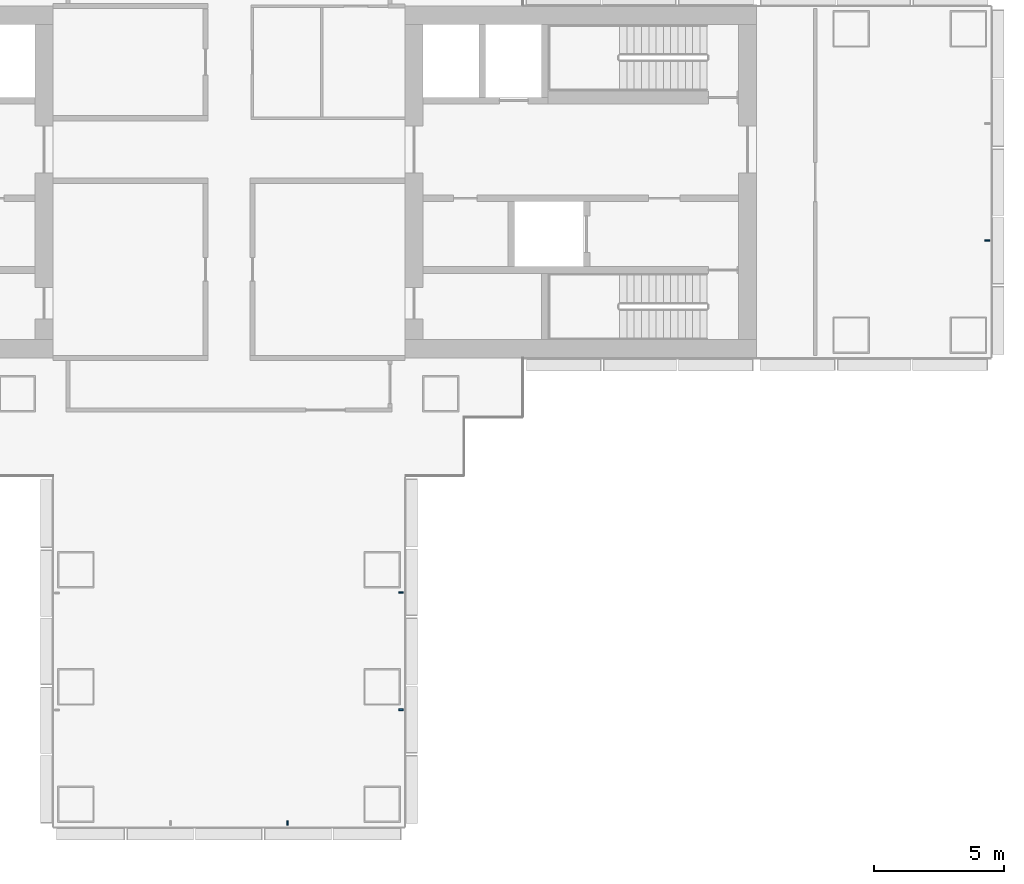
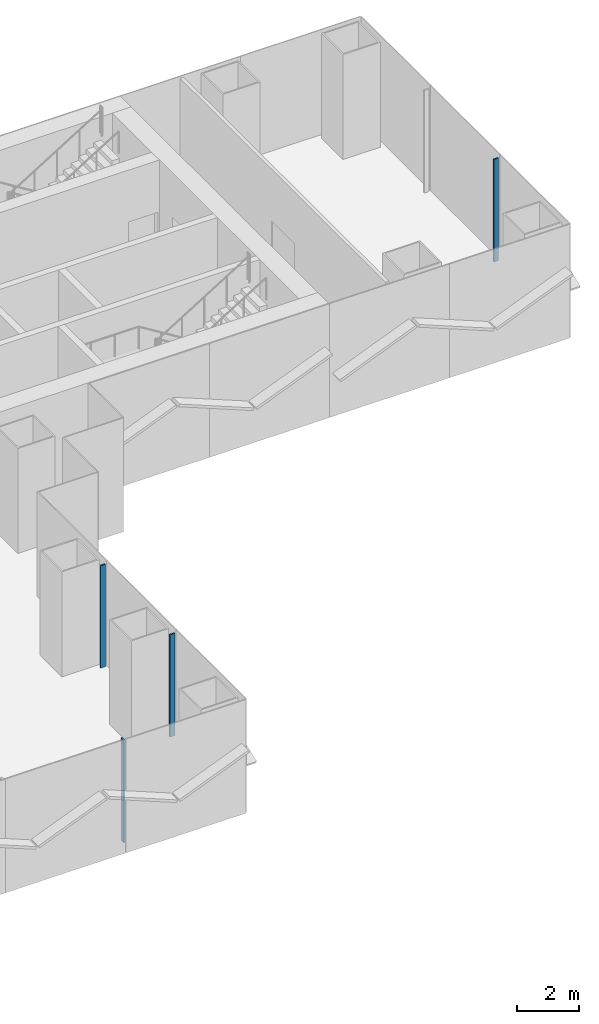
# One storey, part 8 of 22: 4 members, 3 elements without a shape of their own.
"""IFC4 building model written with IfcOpenShell, lengths in metres."""

from ifc_helpers import new_model, si_unit, direction, frame, origin, origin_2d, place, context, subcontext, project, spatial, rectangle, extrude, material, layer, layer_set, material_profile, profile_set, type_object, element, aggregate, save


model = new_model("IFC4")

# Units and contexts
model_context = context("Model", 3, precision=1e-05, world=origin(), true_north=direction((0.0, 1.0)))
body_context = subcontext(model_context, "Body", "Model", "MODEL_VIEW")
ifc_project = project(units=[si_unit("LENGTHUNIT", "METRE"), si_unit("AREAUNIT", "SQUARE_METRE"), si_unit("VOLUMEUNIT", "CUBIC_METRE"), si_unit("PLANEANGLEUNIT", "RADIAN"), si_unit("MASSUNIT", "GRAM", prefix="KILO")], contexts=[model_context])

# Site, building, storey
site_placement = place(None, origin())
site = spatial("IfcSite", under=ifc_project, at=site_placement, CompositionType="ELEMENT")
building_placement = place(site_placement, origin())
building = spatial("IfcBuilding", under=site, at=building_placement, Name="Shamsa Quay Exchange Towers", CompositionType="ELEMENT")
storey_placement = place(building_placement, frame((0.0, 0.0, 37.5)))
storey = spatial("IfcBuildingStorey", under=building, at=storey_placement, Name="L07", CompositionType="ELEMENT", Elevation=37.5)

# Curtain wall, member
ifc_material = material(Name="Aluminium EN AW-6063 T6, black anodised", Category="aluminium")
ifc_layer = layer(ifc_material, 0.280029296875)
ifc_layer_set = layer_set([ifc_layer], Name="CW-1 UNITISED VISION GLASS")
curtain_wall_type = type_object("IfcCurtainWallType", Name="CW-1 UNITISED VISION GLASS", PredefinedType="NOTDEFINED", material=ifc_layer_set)
curtain_wall_1_placement = place(storey_placement, origin())
curtain_wall_1 = element("IfcCurtainWall", 1, at=curtain_wall_1_placement, inside=storey, type_object=curtain_wall_type, Name="CW1 T2-END-V- L07", PredefinedType="NOTDEFINED")
ifc_material_profile = material_profile(ifc_material, rectangle(XDim=0.179931640625, YDim=0.06005859375, at=origin_2d()), Name="MU60x180")
ifc_profile_set = profile_set([ifc_material_profile], Name="Aluminium EN AW-6063 T6, black anodised")
member_type = type_object("IfcMemberType", Name="CW1 MULLION 60x180", PredefinedType="MULLION", material=ifc_profile_set)
member_1_placement = place(storey_placement, frame((62.85009765625, -2.25, 0.0), z_axis=(0.0, 0.0, 1.0), x_axis=(-1.0, 0.0, 0.0)))
member_1 = element("IfcMember", 2, at=member_1_placement, type_object=member_type, Name="CW1 mullion", PredefinedType="MULLION", context=body_context, shape_type="SweptSolid", body=[
    extrude(rectangle(XDim=0.179931640625, YDim=0.06005859375, at=origin_2d()), origin(), (0.0, 0.0, 1.0), 4.050048828125),
])
aggregate(curtain_wall_1, [member_1])

curtain_wall_2_placement = place(storey_placement, origin())
curtain_wall_2 = element("IfcCurtainWall", 3, at=curtain_wall_2_placement, inside=storey, type_object=curtain_wall_type, Name="CW1 T2-END-U- L07", PredefinedType="NOTDEFINED")
member_2_placement = place(storey_placement, frame((36.0, -24.60009765625, 0.0), z_axis=(0.0, 0.0, 1.0), x_axis=(0.0, 1.0, 0.0)))
member_2 = element("IfcMember", 4, at=member_2_placement, type_object=member_type, Name="CW1 mullion", PredefinedType="MULLION", context=body_context, shape_type="SweptSolid", body=[
    extrude(rectangle(XDim=0.179931640625, YDim=0.06005859375, at=origin_2d()), origin(), (0.0, 0.0, 1.0), 4.050048828125),
])
aggregate(curtain_wall_2, [member_2])

# Curtain wall, members
curtain_wall_3_placement = place(storey_placement, origin())
curtain_wall_3 = element("IfcCurtainWall", 5, at=curtain_wall_3_placement, inside=storey, type_object=curtain_wall_type, Name="CW1 T2-FLK-U-S L07", PredefinedType="NOTDEFINED")
member_3_placement = place(storey_placement, frame((40.35009765625, -20.25, 0.0), z_axis=(0.0, 0.0, 1.0), x_axis=(-1.0, 0.0, 0.0)))
member_3 = element("IfcMember", 6, at=member_3_placement, type_object=member_type, Name="CW1 mullion", PredefinedType="MULLION", context=body_context, shape_type="SweptSolid", body=[
    extrude(rectangle(XDim=0.179931640625, YDim=0.06005859375, at=origin_2d()), origin(), (0.0, 0.0, 1.0), 4.050048828125),
])
member_4_placement = place(storey_placement, frame((40.35009765625, -15.75, 0.0), z_axis=(0.0, 0.0, 1.0), x_axis=(-1.0, 0.0, 0.0)))
member_4 = element("IfcMember", 7, at=member_4_placement, type_object=member_type, Name="CW1 mullion", PredefinedType="MULLION", context=body_context, shape_type="SweptSolid", body=[
    extrude(rectangle(XDim=0.179931640625, YDim=0.06005859375, at=origin_2d()), origin(), (0.0, 0.0, 1.0), 4.050048828125),
])
aggregate(curtain_wall_3, [member_3, member_4])

save(model, "model.ifc")
